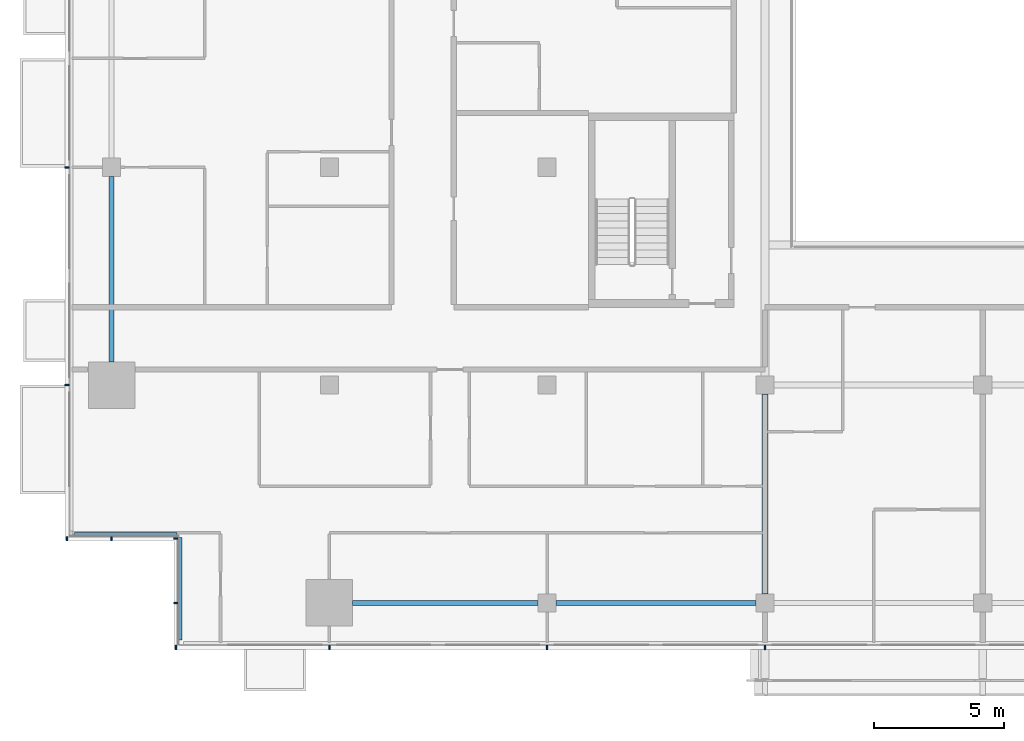
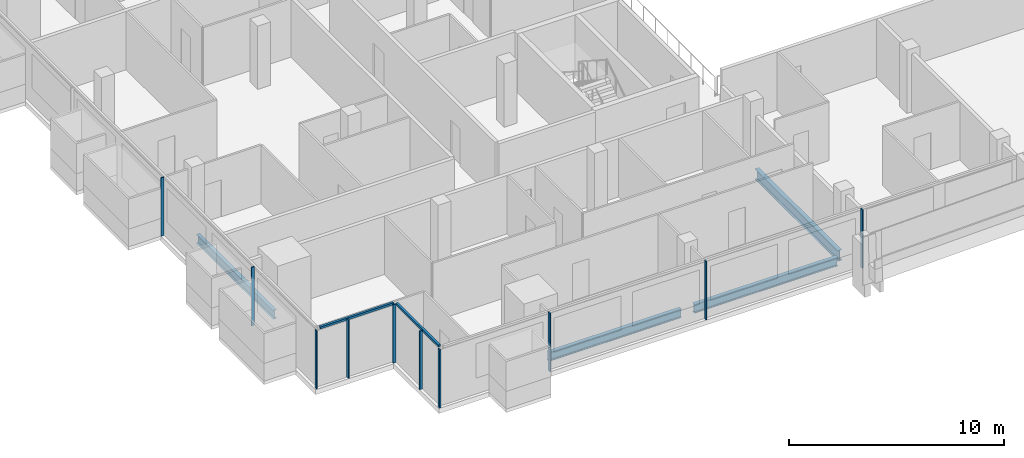
# One storey, part 2 of 28: 12 members, 4 beams, 4 elements without a shape of their own.
"""IFC4 building model written with IfcOpenShell, lengths in metres."""

from ifc_helpers import new_model, si_unit, direction, frame, origin, origin_2d, place, context, subcontext, project, spatial, rectangle, i_section, extrude, material, material_profile, profile_set, type_object, element, aggregate, save


model = new_model("IFC4")

# Units and contexts
model_context = context("Model", 3, precision=1e-05, world=origin(), true_north=direction((0.0, 1.0)))
body_context = subcontext(model_context, "Body", "Model", "MODEL_VIEW")
ifc_project = project(units=[si_unit("LENGTHUNIT", "METRE"), si_unit("AREAUNIT", "SQUARE_METRE"), si_unit("VOLUMEUNIT", "CUBIC_METRE"), si_unit("PLANEANGLEUNIT", "RADIAN"), si_unit("MASSUNIT", "GRAM", prefix="KILO")], contexts=[model_context])

# Site, building, storey
site_placement = place(None, origin())
site = spatial("IfcSite", under=ifc_project, at=site_placement, CompositionType="ELEMENT")
building_placement = place(site_placement, origin())
building = spatial("IfcBuilding", under=site, at=building_placement, Name="Saffron Gate Tower", CompositionType="ELEMENT")
storey_placement = place(building_placement, frame((0.0, 0.0, 151.050048828125)))
storey = spatial("IfcBuildingStorey", under=building, at=storey_placement, Name="L36", CompositionType="ELEMENT", Elevation=151.050048828125)

# Beams
ifc_material_1 = material(Name="Structural steel S355", Category="steel")
ifc_material_profile_1 = material_profile(ifc_material_1, i_section(OverallWidth=0.199951171875, OverallDepth=0.5, WebThickness=0.01025390625, FlangeThickness=0.01611328125, FilletRadius=0.02099609375, at=origin_2d()))
ifc_profile_set_1 = profile_set([ifc_material_profile_1], Name="Structural steel S355")
beam_type_1 = type_object("IfcBeamType", Name="B11 IPE 500", PredefinedType="SPANDREL", material=ifc_profile_set_1)
for number, where, z_axis, x_axis, name in (
    (1, (49.800048828125, 41.10009765625, -0.530029296875), (0.0, 1.0, 0.0), (-1.0, 0.0, 0.0), "B11 SPANDREL BEAM"),
    (2, (59.10009765625, 31.800048828125, -0.530029296875), (1.0, 0.0, 0.0), (0.0, 1.0, 0.0), "B11 SPANDREL BEAM"),
):
    element("IfcBeam", number, at=place(storey_placement, frame(where, z_axis=z_axis, x_axis=x_axis)), inside=storey, type_object=beam_type_1, Name=name, PredefinedType="SPANDREL", context=body_context, shape_type="SweptSolid", body=[
        extrude(i_section(OverallWidth=0.199951171875, OverallDepth=0.5, WebThickness=0.01025390625, FlangeThickness=0.01611328125, FilletRadius=0.02099609375, at=origin_2d()), origin(), (0.0, 0.0, 1.0), 7.14990234375),
    ])
beam_1_placement = place(storey_placement, frame((66.949951171875, 31.800048828125, -0.530029296875), z_axis=(1.0, 0.0, 0.0), x_axis=(0.0, 1.0, 0.0)))
element("IfcBeam", 3, at=beam_1_placement, inside=storey, type_object=beam_type_1, Name="B11 SPANDREL BEAM", PredefinedType="SPANDREL", context=body_context, shape_type="SweptSolid", body=[
    extrude(i_section(OverallWidth=0.199951171875, OverallDepth=0.5, WebThickness=0.01025390625, FlangeThickness=0.01611328125, FilletRadius=0.02099609375, at=origin_2d()), origin(), (0.0, 0.0, 1.0), 7.699951171875),
])
ifc_material_profile_2 = material_profile(ifc_material_1, i_section(OverallWidth=0.219970703125, OverallDepth=0.60009765625, WebThickness=0.011962890625, FlangeThickness=0.01904296875, FilletRadius=0.02392578125, at=origin_2d()))
ifc_profile_set_2 = profile_set([ifc_material_profile_2], Name="Structural steel S355")
beam_type_2 = type_object("IfcBeamType", Name="B15 IPE 600", PredefinedType="BEAM", material=ifc_profile_set_2)
beam_2_placement = place(storey_placement, frame((75.0, 32.14990234375, -0.580078125), z_axis=(0.0, 1.0, 0.0), x_axis=(-1.0, 0.0, 0.0)))
element("IfcBeam", 4, at=beam_2_placement, inside=storey, type_object=beam_type_2, Name="B15 FLOOR GIRDER", PredefinedType="BEAM", context=body_context, shape_type="SweptSolid", body=[
    extrude(i_section(OverallWidth=0.219970703125, OverallDepth=0.60009765625, WebThickness=0.011962890625, FlangeThickness=0.01904296875, FilletRadius=0.02392578125, at=origin_2d()), origin(), (0.0, 0.0, 1.0), 7.7001953125),
])

# Curtain wall, members
ifc_material_2 = material(Name="Aluminium, bronze anodised", Category="aluminium")
curtain_wall_type_1 = type_object("IfcCurtainWallType", Name="CWS1 curtain wall front facade", PredefinedType="NOTDEFINED", material=ifc_material_2)
curtain_wall_1_placement = place(storey_placement, origin())
curtain_wall_1 = element("IfcCurtainWall", 5, at=curtain_wall_1_placement, inside=storey, type_object=curtain_wall_type_1, Name="CWS1 run 1", PredefinedType="NOTDEFINED")
ifc_material_profile_3 = material_profile(ifc_material_2, rectangle(XDim=0.159912109375, YDim=0.06005859375, at=origin_2d()))
ifc_profile_set_3 = profile_set([ifc_material_profile_3], Name="Aluminium, bronze anodised")
member_type_1 = type_object("IfcMemberType", Name="CWS1 mullion 60x160", PredefinedType="MULLION", material=ifc_profile_set_3)
member_1_placement = place(storey_placement, frame((52.280029296875, 30.080078125, 0.0), z_axis=(0.0, 0.0, 1.0), x_axis=(0.0, 1.0, 0.0)))
member_1 = element("IfcMember", 6, at=member_1_placement, type_object=member_type_1, Name="CWS1 mullion 1", PredefinedType="MULLION", context=body_context, shape_type="SweptSolid", body=[
    extrude(rectangle(XDim=0.159912109375, YDim=0.06005859375, at=origin_2d()), origin(), (0.0, 0.0, 1.0), 3.320068359375),
])
member_2_placement = place(storey_placement, frame((58.199951171875, 30.080078125, 0.0), z_axis=(0.0, 0.0, 1.0), x_axis=(0.0, 1.0, 0.0)))
member_2 = element("IfcMember", 7, at=member_2_placement, type_object=member_type_1, Name="CWS1 mullion 2", PredefinedType="MULLION", context=body_context, shape_type="SweptSolid", body=[
    extrude(rectangle(XDim=0.159912109375, YDim=0.06005859375, at=origin_2d()), origin(), (0.0, 0.0, 1.0), 3.320068359375),
])
member_3_placement = place(storey_placement, frame((66.60009765625, 30.080078125, 0.0), z_axis=(0.0, 0.0, 1.0), x_axis=(0.0, 1.0, 0.0)))
member_3 = element("IfcMember", 8, at=member_3_placement, type_object=member_type_1, Name="CWS1 mullion 3", PredefinedType="MULLION", context=body_context, shape_type="SweptSolid", body=[
    extrude(rectangle(XDim=0.159912109375, YDim=0.06005859375, at=origin_2d()), origin(), (0.0, 0.0, 1.0), 3.320068359375),
])
member_4_placement = place(storey_placement, frame((75.0, 30.080078125, 0.0), z_axis=(0.0, 0.0, 1.0), x_axis=(0.0, 1.0, 0.0)))
member_4 = element("IfcMember", 9, at=member_4_placement, type_object=member_type_1, Name="CWS1 mullion 4", PredefinedType="MULLION", context=body_context, shape_type="SweptSolid", body=[
    extrude(rectangle(XDim=0.159912109375, YDim=0.06005859375, at=origin_2d()), origin(), (0.0, 0.0, 1.0), 3.320068359375),
])
aggregate(curtain_wall_1, [member_1, member_2, member_3, member_4])

curtain_wall_type_2 = type_object("IfcCurtainWallType", Name="CWS2 curtain wall side facades", PredefinedType="NOTDEFINED", material=ifc_material_2)
curtain_wall_2_placement = place(storey_placement, origin())
curtain_wall_2 = element("IfcCurtainWall", 10, at=curtain_wall_2_placement, inside=storey, type_object=curtain_wall_type_2, Name="CWS2 run 10", PredefinedType="NOTDEFINED")
ifc_material_profile_4 = material_profile(ifc_material_2, rectangle(XDim=0.159912109375, YDim=0.06005859375, at=origin_2d()))
ifc_profile_set_4 = profile_set([ifc_material_profile_4], Name="Aluminium, bronze anodised")
member_type_2 = type_object("IfcMemberType", Name="CWS2 mullion 60x160", PredefinedType="MULLION", material=ifc_profile_set_4)
member_5_placement = place(storey_placement, frame((48.080078125, 48.60009765625, 0.0), z_axis=(0.0, 0.0, 1.0), x_axis=(1.0, 0.0, 0.0)))
member_5 = element("IfcMember", 11, at=member_5_placement, type_object=member_type_2, Name="CWS2 mullion 4", PredefinedType="MULLION", context=body_context, shape_type="SweptSolid", body=[
    extrude(rectangle(XDim=0.159912109375, YDim=0.06005859375, at=origin_2d()), origin(), (0.0, 0.0, 1.0), 3.320068359375),
])
member_6_placement = place(storey_placement, frame((48.080078125, 40.199951171875, 0.0), z_axis=(0.0, 0.0, 1.0), x_axis=(1.0, 0.0, 0.0)))
member_6 = element("IfcMember", 12, at=member_6_placement, type_object=member_type_2, Name="CWS2 mullion 5", PredefinedType="MULLION", context=body_context, shape_type="SweptSolid", body=[
    extrude(rectangle(XDim=0.159912109375, YDim=0.06005859375, at=origin_2d()), origin(), (0.0, 0.0, 1.0), 3.320068359375),
])
aggregate(curtain_wall_2, [member_5, member_6])

# Curtain wall, member
curtain_wall_type_3 = type_object("IfcCurtainWallType", Name="CWS4 curtain wall corner returns", PredefinedType="NOTDEFINED", material=ifc_material_2)
curtain_wall_3_placement = place(storey_placement, origin())
curtain_wall_3 = element("IfcCurtainWall", 13, at=curtain_wall_3_placement, inside=storey, type_object=curtain_wall_type_3, Name="CWS4 run 11", PredefinedType="NOTDEFINED")
ifc_material_profile_5 = material_profile(ifc_material_2, rectangle(XDim=0.1201171875, YDim=0.1201171875, at=origin_2d()))
ifc_profile_set_5 = profile_set([ifc_material_profile_5], Name="Aluminium, bronze anodised")
member_type_3 = type_object("IfcMemberType", Name="CWS4 head transom", PredefinedType="USERDEFINED", material=ifc_profile_set_5)
member_7_placement = place(storey_placement, frame((48.367919921875, 34.447998046875, 3.260009765625), z_axis=(1.0, 0.0, 0.0), x_axis=(0.0, 1.0, 0.0)))
member_7 = element("IfcMember", 14, at=member_7_placement, type_object=member_type_3, Name="CWS4 head transom", ObjectType="TRANSOM", PredefinedType="USERDEFINED", context=body_context, shape_type="SweptSolid", body=[
    extrude(rectangle(XDim=0.1201171875, YDim=0.1201171875, at=origin_2d()), origin(), (0.0, 0.0, 1.0), 3.9599609375),
])

curtain_wall_4_placement = place(storey_placement, origin())
curtain_wall_4 = element("IfcCurtainWall", 15, at=curtain_wall_4_placement, inside=storey, type_object=curtain_wall_type_3, Name="CWS4 run 12", PredefinedType="NOTDEFINED")
member_8_placement = place(storey_placement, frame((52.447998046875, 34.327880859375, 3.260009765625), z_axis=(0.0, -1.0, 0.0), x_axis=(1.0, 0.0, 0.0)))
member_8 = element("IfcMember", 16, at=member_8_placement, type_object=member_type_3, Name="CWS4 head transom", ObjectType="TRANSOM", PredefinedType="USERDEFINED", context=body_context, shape_type="SweptSolid", body=[
    extrude(rectangle(XDim=0.1201171875, YDim=0.1201171875, at=origin_2d()), origin(), (0.0, 0.0, 1.0), 3.9599609375),
])

# Member
ifc_material_profile_6 = material_profile(ifc_material_2, rectangle(XDim=0.159912109375, YDim=0.06005859375, at=origin_2d()))
ifc_profile_set_6 = profile_set([ifc_material_profile_6], Name="Aluminium, bronze anodised")
member_type_4 = type_object("IfcMemberType", Name="CWS4 mullion 60x160", PredefinedType="MULLION", material=ifc_profile_set_6)
member_9_placement = place(storey_placement, frame((48.080078125, 34.280029296875, 0.0), z_axis=(0.0, 0.0, 1.0), x_axis=(0.0, 1.0, 0.0)))
member_9 = element("IfcMember", 17, at=member_9_placement, type_object=member_type_4, Name="CWS4 mullion 1", PredefinedType="MULLION", context=body_context, shape_type="SweptSolid", body=[
    extrude(rectangle(XDim=0.159912109375, YDim=0.06005859375, at=origin_2d()), origin(), (0.0, 0.0, 1.0), 3.320068359375),
])

member_10_placement = place(storey_placement, frame((49.800048828125, 34.280029296875, 0.0), z_axis=(0.0, 0.0, 1.0), x_axis=(0.0, 1.0, 0.0)))
member_10 = element("IfcMember", 18, at=member_10_placement, type_object=member_type_4, Name="CWS4 mullion 2", PredefinedType="MULLION", context=body_context, shape_type="SweptSolid", body=[
    extrude(rectangle(XDim=0.159912109375, YDim=0.06005859375, at=origin_2d()), origin(), (0.0, 0.0, 1.0), 3.320068359375),
])

aggregate(curtain_wall_3, [member_9, member_10, member_7])

member_11_placement = place(storey_placement, frame((52.280029296875, 34.280029296875, 0.0), z_axis=(0.0, 0.0, 1.0), x_axis=(1.0, 0.0, 0.0)))
member_11 = element("IfcMember", 19, at=member_11_placement, type_object=member_type_4, Name="CWS4 mullion 1", PredefinedType="MULLION", context=body_context, shape_type="SweptSolid", body=[
    extrude(rectangle(XDim=0.159912109375, YDim=0.06005859375, at=origin_2d()), origin(), (0.0, 0.0, 1.0), 3.320068359375),
])

member_12_placement = place(storey_placement, frame((52.280029296875, 31.800048828125, 0.0), z_axis=(0.0, 0.0, 1.0), x_axis=(1.0, 0.0, 0.0)))
member_12 = element("IfcMember", 20, at=member_12_placement, type_object=member_type_4, Name="CWS4 mullion 2", PredefinedType="MULLION", context=body_context, shape_type="SweptSolid", body=[
    extrude(rectangle(XDim=0.159912109375, YDim=0.06005859375, at=origin_2d()), origin(), (0.0, 0.0, 1.0), 3.320068359375),
])

aggregate(curtain_wall_4, [member_11, member_12, member_8])

save(model, "model.ifc")
